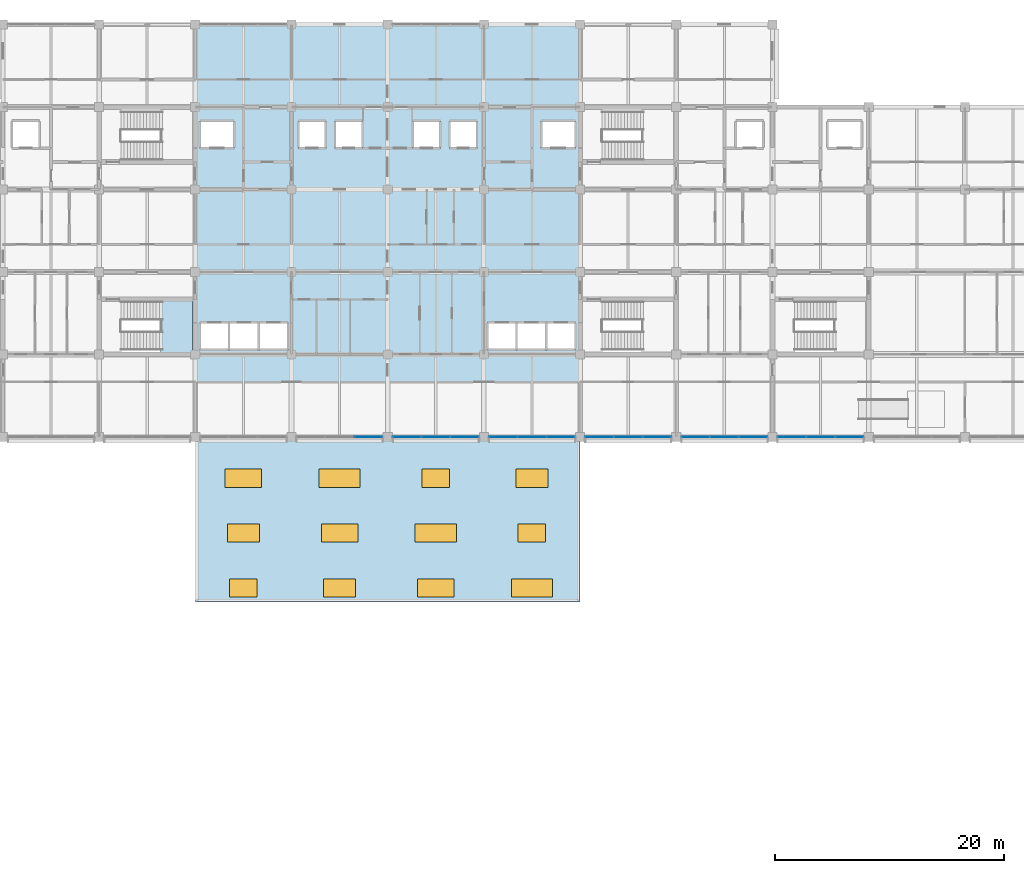
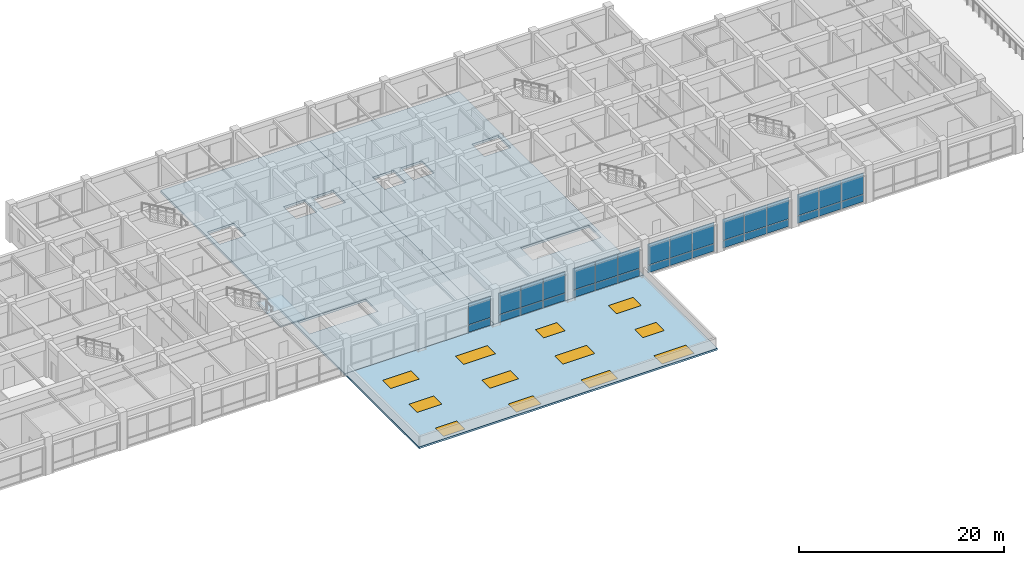
# One storey, part 15 of 40: 32 plates, 12 windows, 4 slabs, 12 openings, 7 elements without a shape of their own.
"""IFC4 building model written with IfcOpenShell, lengths in metres."""

from ifc_helpers import new_model, si_unit, direction, frame, origin, origin_2d, place, context, subcontext, project, spatial, polyline, rectangle, outline, extrude, material, layer, layer_set, type_object, element, fill, aggregate, save


model = new_model("IFC4")

# Units and contexts
model_context = context("Model", 3, precision=1e-05, world=origin(), true_north=direction((0.0, 1.0)))
body_context = subcontext(model_context, "Body", "Model", "MODEL_VIEW")
ifc_project = project(units=[si_unit("LENGTHUNIT", "METRE"), si_unit("AREAUNIT", "SQUARE_METRE"), si_unit("VOLUMEUNIT", "CUBIC_METRE"), si_unit("PLANEANGLEUNIT", "RADIAN"), si_unit("MASSUNIT", "GRAM", prefix="KILO")], contexts=[model_context])

# Site, building, storey
site_placement = place(None, origin())
site = spatial("IfcSite", under=ifc_project, at=site_placement, CompositionType="ELEMENT")
building_placement = place(site_placement, origin())
building = spatial("IfcBuilding", under=site, at=building_placement, Name="Chengyuan Square Courthouse", CompositionType="ELEMENT")
storey_placement = place(building_placement, frame((0.0, 0.0, 21.60009765625)))
storey = spatial("IfcBuildingStorey", under=building, at=storey_placement, Name="L05", CompositionType="ELEMENT", Elevation=21.60009765625)

# Curtain wall, plates
ifc_material_1 = material(Name="Unitised Aluminium and Triple Low-E Glass", Category="aluminium")
ifc_layer_1 = layer(ifc_material_1, 0.159912109375)
ifc_layer_set_1 = layer_set([ifc_layer_1], Name="Unitised Aluminium and Triple Low-E Glass")
curtain_wall_type = type_object("IfcCurtainWallType", Name="CW-13", PredefinedType="USERDEFINED", material=ifc_layer_set_1)
curtain_wall_1_placement = place(storey_placement, origin())
curtain_wall_1 = element("IfcCurtainWall", 1, at=curtain_wall_1_placement, inside=storey, type_object=curtain_wall_type, Name="Unitised Curtain Wall CW-L05-173", ObjectType="UNITISED CURTAIN WALL", PredefinedType="USERDEFINED")
ifc_material_2 = material(Name="Triple Low-E Insulating Glass", Category="glass")
ifc_layer_2 = layer(ifc_material_2, 0.02392578125)
ifc_layer_set_2 = layer_set([ifc_layer_2], Name="Triple Low-E Insulating Glass")
plate_type = type_object("IfcPlateType", Name="CWP-01", PredefinedType="CURTAIN_PANEL", material=ifc_layer_set_2)
plate_1_placement = place(storey_placement, frame((82.318359375, 79.199951171875, 0.06005859375), z_axis=(0.0, 0.0, 1.0), x_axis=(1.0, 0.0, 0.0)))
plate_1 = element("IfcPlate", 2, at=plate_1_placement, type_object=plate_type, Name="CW-13 panel 3.1", PredefinedType="CURTAIN_PANEL", context=body_context, shape_type="SweptSolid", body=[
    extrude(rectangle(XDim=2.443359375, YDim=0.02392578125, at=origin_2d()), origin(), (0.0, 0.0, 1.0), 0.860107421875),
])
plate_2_placement = place(storey_placement, frame((82.318359375, 79.199951171875, 0.97998046875), z_axis=(0.0, 0.0, 1.0), x_axis=(1.0, 0.0, 0.0)))
plate_2 = element("IfcPlate", 3, at=plate_2_placement, type_object=plate_type, Name="CW-13 panel 3.2", PredefinedType="CURTAIN_PANEL", context=body_context, shape_type="SweptSolid", body=[
    extrude(rectangle(XDim=2.443359375, YDim=0.02392578125, at=origin_2d()), origin(), (0.0, 0.0, 1.0), 2.550048828125),
])
aggregate(curtain_wall_1, [plate_1, plate_2])

curtain_wall_2_placement = place(storey_placement, origin())
curtain_wall_2 = element("IfcCurtainWall", 4, at=curtain_wall_2_placement, inside=storey, type_object=curtain_wall_type, Name="Unitised Curtain Wall CW-L05-174", ObjectType="UNITISED CURTAIN WALL", PredefinedType="USERDEFINED")
plate_3_placement = place(storey_placement, frame((85.681640625, 79.199951171875, 0.06005859375), z_axis=(0.0, 0.0, 1.0), x_axis=(1.0, 0.0, 0.0)))
plate_3 = element("IfcPlate", 5, at=plate_3_placement, type_object=plate_type, Name="CW-13 panel 1.1", PredefinedType="CURTAIN_PANEL", context=body_context, shape_type="SweptSolid", body=[
    extrude(rectangle(XDim=2.443359375, YDim=0.02392578125, at=origin_2d()), origin(), (0.0, 0.0, 1.0), 0.860107421875),
])
plate_4_placement = place(storey_placement, frame((85.681640625, 79.199951171875, 0.97998046875), z_axis=(0.0, 0.0, 1.0), x_axis=(1.0, 0.0, 0.0)))
plate_4 = element("IfcPlate", 6, at=plate_4_placement, type_object=plate_type, Name="CW-13 panel 1.2", PredefinedType="CURTAIN_PANEL", context=body_context, shape_type="SweptSolid", body=[
    extrude(rectangle(XDim=2.443359375, YDim=0.02392578125, at=origin_2d()), origin(), (0.0, 0.0, 1.0), 2.550048828125),
])
plate_5_placement = place(storey_placement, frame((88.199951171875, 79.199951171875, 0.06005859375), z_axis=(0.0, 0.0, 1.0), x_axis=(1.0, 0.0, 0.0)))
plate_5 = element("IfcPlate", 7, at=plate_5_placement, type_object=plate_type, Name="CW-13 panel 2.1", PredefinedType="CURTAIN_PANEL", context=body_context, shape_type="SweptSolid", body=[
    extrude(rectangle(XDim=2.473388671875, YDim=0.02392578125, at=origin_2d()), origin(), (0.0, 0.0, 1.0), 0.860107421875),
])
plate_6_placement = place(storey_placement, frame((88.199951171875, 79.199951171875, 0.97998046875), z_axis=(0.0, 0.0, 1.0), x_axis=(1.0, 0.0, 0.0)))
plate_6 = element("IfcPlate", 8, at=plate_6_placement, type_object=plate_type, Name="CW-13 panel 2.2", PredefinedType="CURTAIN_PANEL", context=body_context, shape_type="SweptSolid", body=[
    extrude(rectangle(XDim=2.473388671875, YDim=0.02392578125, at=origin_2d()), origin(), (0.0, 0.0, 1.0), 2.550048828125),
])
plate_7_placement = place(storey_placement, frame((90.71826171875, 79.199951171875, 0.06005859375), z_axis=(0.0, 0.0, 1.0), x_axis=(1.0, 0.0, 0.0)))
plate_7 = element("IfcPlate", 9, at=plate_7_placement, type_object=plate_type, Name="CW-13 panel 3.1", PredefinedType="CURTAIN_PANEL", context=body_context, shape_type="SweptSolid", body=[
    extrude(rectangle(XDim=2.443359375, YDim=0.02392578125, at=origin_2d()), origin(), (0.0, 0.0, 1.0), 0.860107421875),
])
plate_8_placement = place(storey_placement, frame((90.71826171875, 79.199951171875, 0.97998046875), z_axis=(0.0, 0.0, 1.0), x_axis=(1.0, 0.0, 0.0)))
plate_8 = element("IfcPlate", 10, at=plate_8_placement, type_object=plate_type, Name="CW-13 panel 3.2", PredefinedType="CURTAIN_PANEL", context=body_context, shape_type="SweptSolid", body=[
    extrude(rectangle(XDim=2.443359375, YDim=0.02392578125, at=origin_2d()), origin(), (0.0, 0.0, 1.0), 2.550048828125),
])
aggregate(curtain_wall_2, [plate_3, plate_4, plate_5, plate_6, plate_7, plate_8])

curtain_wall_3_placement = place(storey_placement, origin())
curtain_wall_3 = element("IfcCurtainWall", 11, at=curtain_wall_3_placement, inside=storey, type_object=curtain_wall_type, Name="Unitised Curtain Wall CW-L05-176", ObjectType="UNITISED CURTAIN WALL", PredefinedType="USERDEFINED")
plate_9_placement = place(storey_placement, frame((94.081787109375, 79.199951171875, 0.06005859375), z_axis=(0.0, 0.0, 1.0), x_axis=(1.0, 0.0, 0.0)))
plate_9 = element("IfcPlate", 12, at=plate_9_placement, type_object=plate_type, Name="CW-13 panel 1.1", PredefinedType="CURTAIN_PANEL", context=body_context, shape_type="SweptSolid", body=[
    extrude(rectangle(XDim=2.443359375, YDim=0.02392578125, at=origin_2d()), origin(), (0.0, 0.0, 1.0), 0.860107421875),
])
plate_10_placement = place(storey_placement, frame((94.081787109375, 79.199951171875, 0.97998046875), z_axis=(0.0, 0.0, 1.0), x_axis=(1.0, 0.0, 0.0)))
plate_10 = element("IfcPlate", 13, at=plate_10_placement, type_object=plate_type, Name="CW-13 panel 1.2", PredefinedType="CURTAIN_PANEL", context=body_context, shape_type="SweptSolid", body=[
    extrude(rectangle(XDim=2.443359375, YDim=0.02392578125, at=origin_2d()), origin(), (0.0, 0.0, 1.0), 2.550048828125),
])
plate_11_placement = place(storey_placement, frame((96.60009765625, 79.199951171875, 0.06005859375), z_axis=(0.0, 0.0, 1.0), x_axis=(1.0, 0.0, 0.0)))
plate_11 = element("IfcPlate", 14, at=plate_11_placement, type_object=plate_type, Name="CW-13 panel 2.1", PredefinedType="CURTAIN_PANEL", context=body_context, shape_type="SweptSolid", body=[
    extrude(rectangle(XDim=2.473388671875, YDim=0.02392578125, at=origin_2d()), origin(), (0.0, 0.0, 1.0), 0.860107421875),
])
plate_12_placement = place(storey_placement, frame((96.60009765625, 79.199951171875, 0.97998046875), z_axis=(0.0, 0.0, 1.0), x_axis=(1.0, 0.0, 0.0)))
plate_12 = element("IfcPlate", 15, at=plate_12_placement, type_object=plate_type, Name="CW-13 panel 2.2", PredefinedType="CURTAIN_PANEL", context=body_context, shape_type="SweptSolid", body=[
    extrude(rectangle(XDim=2.473388671875, YDim=0.02392578125, at=origin_2d()), origin(), (0.0, 0.0, 1.0), 2.550048828125),
])
plate_13_placement = place(storey_placement, frame((99.118408203125, 79.199951171875, 0.06005859375), z_axis=(0.0, 0.0, 1.0), x_axis=(1.0, 0.0, 0.0)))
plate_13 = element("IfcPlate", 16, at=plate_13_placement, type_object=plate_type, Name="CW-13 panel 3.1", PredefinedType="CURTAIN_PANEL", context=body_context, shape_type="SweptSolid", body=[
    extrude(rectangle(XDim=2.443359375, YDim=0.02392578125, at=origin_2d()), origin(), (0.0, 0.0, 1.0), 0.860107421875),
])
plate_14_placement = place(storey_placement, frame((99.118408203125, 79.199951171875, 0.97998046875), z_axis=(0.0, 0.0, 1.0), x_axis=(1.0, 0.0, 0.0)))
plate_14 = element("IfcPlate", 17, at=plate_14_placement, type_object=plate_type, Name="CW-13 panel 3.2", PredefinedType="CURTAIN_PANEL", context=body_context, shape_type="SweptSolid", body=[
    extrude(rectangle(XDim=2.443359375, YDim=0.02392578125, at=origin_2d()), origin(), (0.0, 0.0, 1.0), 2.550048828125),
])
aggregate(curtain_wall_3, [plate_9, plate_10, plate_11, plate_12, plate_13, plate_14])

curtain_wall_4_placement = place(storey_placement, origin())
curtain_wall_4 = element("IfcCurtainWall", 18, at=curtain_wall_4_placement, inside=storey, type_object=curtain_wall_type, Name="Unitised Curtain Wall CW-L05-177", ObjectType="UNITISED CURTAIN WALL", PredefinedType="USERDEFINED")
plate_15_placement = place(storey_placement, frame((102.481689453125, 79.199951171875, 0.06005859375), z_axis=(0.0, 0.0, 1.0), x_axis=(1.0, 0.0, 0.0)))
plate_15 = element("IfcPlate", 19, at=plate_15_placement, type_object=plate_type, Name="CW-13 panel 1.1", PredefinedType="CURTAIN_PANEL", context=body_context, shape_type="SweptSolid", body=[
    extrude(rectangle(XDim=2.443359375, YDim=0.02392578125, at=origin_2d()), origin(), (0.0, 0.0, 1.0), 0.860107421875),
])
plate_16_placement = place(storey_placement, frame((102.481689453125, 79.199951171875, 0.97998046875), z_axis=(0.0, 0.0, 1.0), x_axis=(1.0, 0.0, 0.0)))
plate_16 = element("IfcPlate", 20, at=plate_16_placement, type_object=plate_type, Name="CW-13 panel 1.2", PredefinedType="CURTAIN_PANEL", context=body_context, shape_type="SweptSolid", body=[
    extrude(rectangle(XDim=2.443359375, YDim=0.02392578125, at=origin_2d()), origin(), (0.0, 0.0, 1.0), 2.550048828125),
])
plate_17_placement = place(storey_placement, frame((105.0, 79.199951171875, 0.06005859375), z_axis=(0.0, 0.0, 1.0), x_axis=(1.0, 0.0, 0.0)))
plate_17 = element("IfcPlate", 21, at=plate_17_placement, type_object=plate_type, Name="CW-13 panel 2.1", PredefinedType="CURTAIN_PANEL", context=body_context, shape_type="SweptSolid", body=[
    extrude(rectangle(XDim=2.473388671875, YDim=0.02392578125, at=origin_2d()), origin(), (0.0, 0.0, 1.0), 0.860107421875),
])
plate_18_placement = place(storey_placement, frame((105.0, 79.199951171875, 0.97998046875), z_axis=(0.0, 0.0, 1.0), x_axis=(1.0, 0.0, 0.0)))
plate_18 = element("IfcPlate", 22, at=plate_18_placement, type_object=plate_type, Name="CW-13 panel 2.2", PredefinedType="CURTAIN_PANEL", context=body_context, shape_type="SweptSolid", body=[
    extrude(rectangle(XDim=2.473388671875, YDim=0.02392578125, at=origin_2d()), origin(), (0.0, 0.0, 1.0), 2.550048828125),
])
plate_19_placement = place(storey_placement, frame((107.518310546875, 79.199951171875, 0.06005859375), z_axis=(0.0, 0.0, 1.0), x_axis=(1.0, 0.0, 0.0)))
plate_19 = element("IfcPlate", 23, at=plate_19_placement, type_object=plate_type, Name="CW-13 panel 3.1", PredefinedType="CURTAIN_PANEL", context=body_context, shape_type="SweptSolid", body=[
    extrude(rectangle(XDim=2.443359375, YDim=0.02392578125, at=origin_2d()), origin(), (0.0, 0.0, 1.0), 0.860107421875),
])
plate_20_placement = place(storey_placement, frame((107.518310546875, 79.199951171875, 0.97998046875), z_axis=(0.0, 0.0, 1.0), x_axis=(1.0, 0.0, 0.0)))
plate_20 = element("IfcPlate", 24, at=plate_20_placement, type_object=plate_type, Name="CW-13 panel 3.2", PredefinedType="CURTAIN_PANEL", context=body_context, shape_type="SweptSolid", body=[
    extrude(rectangle(XDim=2.443359375, YDim=0.02392578125, at=origin_2d()), origin(), (0.0, 0.0, 1.0), 2.550048828125),
])
aggregate(curtain_wall_4, [plate_15, plate_16, plate_17, plate_18, plate_19, plate_20])

curtain_wall_5_placement = place(storey_placement, origin())
curtain_wall_5 = element("IfcCurtainWall", 25, at=curtain_wall_5_placement, inside=storey, type_object=curtain_wall_type, Name="Unitised Curtain Wall CW-L05-178", ObjectType="UNITISED CURTAIN WALL", PredefinedType="USERDEFINED")
plate_21_placement = place(storey_placement, frame((110.881591796875, 79.199951171875, 0.06005859375), z_axis=(0.0, 0.0, 1.0), x_axis=(1.0, 0.0, 0.0)))
plate_21 = element("IfcPlate", 26, at=plate_21_placement, type_object=plate_type, Name="CW-13 panel 1.1", PredefinedType="CURTAIN_PANEL", context=body_context, shape_type="SweptSolid", body=[
    extrude(rectangle(XDim=2.443359375, YDim=0.02392578125, at=origin_2d()), origin(), (0.0, 0.0, 1.0), 0.860107421875),
])
plate_22_placement = place(storey_placement, frame((110.881591796875, 79.199951171875, 0.97998046875), z_axis=(0.0, 0.0, 1.0), x_axis=(1.0, 0.0, 0.0)))
plate_22 = element("IfcPlate", 27, at=plate_22_placement, type_object=plate_type, Name="CW-13 panel 1.2", PredefinedType="CURTAIN_PANEL", context=body_context, shape_type="SweptSolid", body=[
    extrude(rectangle(XDim=2.443359375, YDim=0.02392578125, at=origin_2d()), origin(), (0.0, 0.0, 1.0), 2.550048828125),
])
plate_23_placement = place(storey_placement, frame((113.39990234375, 79.199951171875, 0.06005859375), z_axis=(0.0, 0.0, 1.0), x_axis=(1.0, 0.0, 0.0)))
plate_23 = element("IfcPlate", 28, at=plate_23_placement, type_object=plate_type, Name="CW-13 panel 2.1", PredefinedType="CURTAIN_PANEL", context=body_context, shape_type="SweptSolid", body=[
    extrude(rectangle(XDim=2.473388671875, YDim=0.02392578125, at=origin_2d()), origin(), (0.0, 0.0, 1.0), 0.860107421875),
])
plate_24_placement = place(storey_placement, frame((113.39990234375, 79.199951171875, 0.97998046875), z_axis=(0.0, 0.0, 1.0), x_axis=(1.0, 0.0, 0.0)))
plate_24 = element("IfcPlate", 29, at=plate_24_placement, type_object=plate_type, Name="CW-13 panel 2.2", PredefinedType="CURTAIN_PANEL", context=body_context, shape_type="SweptSolid", body=[
    extrude(rectangle(XDim=2.473388671875, YDim=0.02392578125, at=origin_2d()), origin(), (0.0, 0.0, 1.0), 2.550048828125),
])
plate_25_placement = place(storey_placement, frame((115.918212890625, 79.199951171875, 0.06005859375), z_axis=(0.0, 0.0, 1.0), x_axis=(1.0, 0.0, 0.0)))
plate_25 = element("IfcPlate", 30, at=plate_25_placement, type_object=plate_type, Name="CW-13 panel 3.1", PredefinedType="CURTAIN_PANEL", context=body_context, shape_type="SweptSolid", body=[
    extrude(rectangle(XDim=2.443359375, YDim=0.02392578125, at=origin_2d()), origin(), (0.0, 0.0, 1.0), 0.860107421875),
])
plate_26_placement = place(storey_placement, frame((115.918212890625, 79.199951171875, 0.97998046875), z_axis=(0.0, 0.0, 1.0), x_axis=(1.0, 0.0, 0.0)))
plate_26 = element("IfcPlate", 31, at=plate_26_placement, type_object=plate_type, Name="CW-13 panel 3.2", PredefinedType="CURTAIN_PANEL", context=body_context, shape_type="SweptSolid", body=[
    extrude(rectangle(XDim=2.443359375, YDim=0.02392578125, at=origin_2d()), origin(), (0.0, 0.0, 1.0), 2.550048828125),
])
aggregate(curtain_wall_5, [plate_21, plate_22, plate_23, plate_24, plate_25, plate_26])

curtain_wall_6_placement = place(storey_placement, origin())
curtain_wall_6 = element("IfcCurtainWall", 32, at=curtain_wall_6_placement, inside=storey, type_object=curtain_wall_type, Name="Unitised Curtain Wall CW-L05-179", ObjectType="UNITISED CURTAIN WALL", PredefinedType="USERDEFINED")
plate_27_placement = place(storey_placement, frame((119.28173828125, 79.199951171875, 0.06005859375), z_axis=(0.0, 0.0, 1.0), x_axis=(1.0, 0.0, 0.0)))
plate_27 = element("IfcPlate", 33, at=plate_27_placement, type_object=plate_type, Name="CW-13 panel 1.1", PredefinedType="CURTAIN_PANEL", context=body_context, shape_type="SweptSolid", body=[
    extrude(rectangle(XDim=2.443359375, YDim=0.02392578125, at=origin_2d()), origin(), (0.0, 0.0, 1.0), 0.860107421875),
])
plate_28_placement = place(storey_placement, frame((119.28173828125, 79.199951171875, 0.97998046875), z_axis=(0.0, 0.0, 1.0), x_axis=(1.0, 0.0, 0.0)))
plate_28 = element("IfcPlate", 34, at=plate_28_placement, type_object=plate_type, Name="CW-13 panel 1.2", PredefinedType="CURTAIN_PANEL", context=body_context, shape_type="SweptSolid", body=[
    extrude(rectangle(XDim=2.443359375, YDim=0.02392578125, at=origin_2d()), origin(), (0.0, 0.0, 1.0), 2.550048828125),
])
plate_29_placement = place(storey_placement, frame((121.800048828125, 79.199951171875, 0.06005859375), z_axis=(0.0, 0.0, 1.0), x_axis=(1.0, 0.0, 0.0)))
plate_29 = element("IfcPlate", 35, at=plate_29_placement, type_object=plate_type, Name="CW-13 panel 2.1", PredefinedType="CURTAIN_PANEL", context=body_context, shape_type="SweptSolid", body=[
    extrude(rectangle(XDim=2.473388671875, YDim=0.02392578125, at=origin_2d()), origin(), (0.0, 0.0, 1.0), 0.860107421875),
])
plate_30_placement = place(storey_placement, frame((121.800048828125, 79.199951171875, 0.97998046875), z_axis=(0.0, 0.0, 1.0), x_axis=(1.0, 0.0, 0.0)))
plate_30 = element("IfcPlate", 36, at=plate_30_placement, type_object=plate_type, Name="CW-13 panel 2.2", PredefinedType="CURTAIN_PANEL", context=body_context, shape_type="SweptSolid", body=[
    extrude(rectangle(XDim=2.473388671875, YDim=0.02392578125, at=origin_2d()), origin(), (0.0, 0.0, 1.0), 2.550048828125),
])
plate_31_placement = place(storey_placement, frame((124.318359375, 79.199951171875, 0.06005859375), z_axis=(0.0, 0.0, 1.0), x_axis=(1.0, 0.0, 0.0)))
plate_31 = element("IfcPlate", 37, at=plate_31_placement, type_object=plate_type, Name="CW-13 panel 3.1", PredefinedType="CURTAIN_PANEL", context=body_context, shape_type="SweptSolid", body=[
    extrude(rectangle(XDim=2.443359375, YDim=0.02392578125, at=origin_2d()), origin(), (0.0, 0.0, 1.0), 0.860107421875),
])
plate_32_placement = place(storey_placement, frame((124.318359375, 79.199951171875, 0.97998046875), z_axis=(0.0, 0.0, 1.0), x_axis=(1.0, 0.0, 0.0)))
plate_32 = element("IfcPlate", 38, at=plate_32_placement, type_object=plate_type, Name="CW-13 panel 3.2", PredefinedType="CURTAIN_PANEL", context=body_context, shape_type="SweptSolid", body=[
    extrude(rectangle(XDim=2.443359375, YDim=0.02392578125, at=origin_2d()), origin(), (0.0, 0.0, 1.0), 2.550048828125),
])
aggregate(curtain_wall_6, [plate_27, plate_28, plate_29, plate_30, plate_31, plate_32])

# Stair, slab
ifc_material_3 = material(Name="Concrete C40", Category="concrete")
stair_type = type_object("IfcStairType", Name="ST-TYPE-03", PredefinedType="HALF_TURN_STAIR", material=ifc_material_3)
stair_placement = place(storey_placement, origin())
stair = element("IfcStair", 39, at=stair_placement, inside=storey, type_object=stair_type, Name="Smoke-Proof Exit Stair ST-3 (L05 to L06)", PredefinedType="HALF_TURN_STAIR")
ifc_layer_3 = layer(ifc_material_3, 0.179931640625)
ifc_layer_set_3 = layer_set([ifc_layer_3], Name="Concrete C40")
slab_type_1 = type_object("IfcSlabType", Name="SL-LND2", PredefinedType="LANDING", material=ifc_layer_set_3)
slab_1_placement = place(storey_placement, frame((0.0, 0.0, 2.06982421875)))
slab_1 = element("IfcSlab", 40, at=slab_1_placement, type_object=slab_type_1, Name="ST-3 landing 1", PredefinedType="LANDING", context=body_context, shape_type="SweptSolid", body=[
    extrude(outline(polyline([(64.169921875, 86.56005859375), (66.93994140625, 86.56005859375), (66.93994140625, 91.239990234375), (64.169921875, 91.239990234375), (64.169921875, 86.56005859375)])), origin(), (0.0, 0.0, 1.0), 0.18017578125),
])
aggregate(stair, [slab_1])

# Slabs
ifc_material_4 = material(Name="Post-tensioned Concrete C50", Category="concrete")
ifc_layer_4 = layer(ifc_material_4, 0.280029296875)
ifc_layer_set_4 = layer_set([ifc_layer_4], Name="Post-tensioned Concrete C50")
slab_type_2 = type_object("IfcSlabType", Name="SL-PT28", PredefinedType="FLOOR", material=ifc_layer_set_4)
slab_2_placement = place(storey_placement, frame((0.0, 0.0, -0.280029296875)))
element("IfcSlab", 41, at=slab_2_placement, inside=storey, type_object=slab_type_2, Name="Suspended Floor Slab SL-L05-02", PredefinedType="FLOOR", context=body_context, shape_type="SweptSolid", body=[
    extrude(outline(polyline([(75.60009765625, 115.199951171875), (84.0, 115.199951171875), (84.0, 79.199951171875), (75.60009765625, 79.199951171875), (67.199951171875, 79.199951171875), (67.199951171875, 115.199951171875), (75.60009765625, 115.199951171875)]), holes=[polyline([(67.60009765625, 89.199951171875), (67.60009765625, 86.800048828125), (70.14990234375, 86.800048828125), (72.75, 86.800048828125), (75.300048828125, 86.800048828125), (75.300048828125, 89.199951171875), (72.75, 89.199951171875), (70.14990234375, 89.199951171875), (67.60009765625, 89.199951171875)]), polyline([(67.60009765625, 106.800048828125), (67.60009765625, 104.39990234375), (70.60009765625, 104.39990234375), (70.60009765625, 106.800048828125), (67.60009765625, 106.800048828125)]), polyline([(78.60009765625, 106.800048828125), (76.199951171875, 106.800048828125), (76.199951171875, 104.39990234375), (78.60009765625, 104.39990234375), (78.60009765625, 106.800048828125)]), polyline([(81.800048828125, 106.800048828125), (79.39990234375, 106.800048828125), (79.39990234375, 104.39990234375), (81.800048828125, 104.39990234375), (81.800048828125, 106.800048828125)])]), origin(), (0.0, 0.0, 1.0), 0.280029296875),
])
slab_3_placement = place(storey_placement, frame((0.0, 0.0, -0.280029296875)))
element("IfcSlab", 42, at=slab_3_placement, inside=storey, type_object=slab_type_2, Name="Suspended Floor Slab SL-L05-03", PredefinedType="FLOOR", context=body_context, shape_type="SweptSolid", body=[
    extrude(outline(polyline([(92.39990234375, 115.199951171875), (100.800048828125, 115.199951171875), (100.800048828125, 79.199951171875), (92.39990234375, 79.199951171875), (84.0, 79.199951171875), (84.0, 115.199951171875), (92.39990234375, 115.199951171875)]), holes=[polyline([(92.699951171875, 89.199951171875), (92.699951171875, 86.800048828125), (95.25, 86.800048828125), (97.85009765625, 86.800048828125), (100.39990234375, 86.800048828125), (100.39990234375, 89.199951171875), (97.85009765625, 89.199951171875), (95.25, 89.199951171875), (92.699951171875, 89.199951171875)]), polyline([(88.60009765625, 106.800048828125), (86.199951171875, 106.800048828125), (86.199951171875, 104.39990234375), (88.60009765625, 104.39990234375), (88.60009765625, 106.800048828125)]), polyline([(91.800048828125, 106.800048828125), (89.39990234375, 106.800048828125), (89.39990234375, 104.39990234375), (91.800048828125, 104.39990234375), (91.800048828125, 106.800048828125)]), polyline([(97.39990234375, 106.800048828125), (97.39990234375, 104.39990234375), (100.39990234375, 104.39990234375), (100.39990234375, 106.800048828125), (97.39990234375, 106.800048828125)])]), origin(), (0.0, 0.0, 1.0), 0.280029296875),
])

# Slab, openings, windows
ifc_layer_5 = layer(ifc_material_3, 0.219970703125)
ifc_layer_set_5 = layer_set([ifc_layer_5], Name="Concrete C40")
slab_type_3 = type_object("IfcSlabType", Name="SL-SKY", PredefinedType="ROOF", material=ifc_layer_set_5)
slab_4_placement = place(storey_placement, frame((0.0, 0.0, -0.22021484375)))
slab_4 = element("IfcSlab", 43, at=slab_4_placement, inside=storey, type_object=slab_type_3, Name="Wintergarden Atrium Skylight Roof Deck", PredefinedType="ROOF", context=body_context, shape_type="SweptSolid", body=[
    extrude(outline(polyline([(67.199951171875, 64.800048828125), (100.800048828125, 64.800048828125), (100.800048828125, 79.199951171875), (67.199951171875, 79.199951171875), (67.199951171875, 64.800048828125)])), origin(), (0.0, 0.0, 1.0), 0.22021484375),
])
opening_1_placement = place(slab_4_placement, frame((71.39990234375, 66.0, 0.0)))
opening_1 = element("IfcOpeningElement", 44, at=opening_1_placement, cuts=slab_4, Name="Opening SK-01", PredefinedType="OPENING", context=body_context, shape_type="SweptSolid", body=[
    extrude(rectangle(XDim=2.39990234375, YDim=1.60009765625, at=origin_2d()), origin(), (0.0, 0.0, 1.0), 0.22021484375),
])
opening_2_placement = place(slab_4_placement, frame((71.39990234375, 70.800048828125, 0.0)))
opening_2 = element("IfcOpeningElement", 45, at=opening_2_placement, cuts=slab_4, Name="Opening SK-02", PredefinedType="OPENING", context=body_context, shape_type="SweptSolid", body=[
    extrude(rectangle(XDim=2.800048828125, YDim=1.60009765625, at=origin_2d()), origin(), (0.0, 0.0, 1.0), 0.22021484375),
])
opening_3_placement = place(slab_4_placement, frame((71.39990234375, 75.60009765625, 0.0)))
opening_3 = element("IfcOpeningElement", 46, at=opening_3_placement, cuts=slab_4, Name="Opening SK-03", PredefinedType="OPENING", context=body_context, shape_type="SweptSolid", body=[
    extrude(rectangle(XDim=3.199951171875, YDim=1.60009765625, at=origin_2d()), origin(), (0.0, 0.0, 1.0), 0.22021484375),
])
opening_4_placement = place(slab_4_placement, frame((79.800048828125, 66.0, 0.0)))
opening_4 = element("IfcOpeningElement", 47, at=opening_4_placement, cuts=slab_4, Name="Opening SK-04", PredefinedType="OPENING", context=body_context, shape_type="SweptSolid", body=[
    extrude(rectangle(XDim=2.800048828125, YDim=1.60009765625, at=origin_2d()), origin(), (0.0, 0.0, 1.0), 0.22021484375),
])
opening_5_placement = place(slab_4_placement, frame((79.800048828125, 70.800048828125, 0.0)))
opening_5 = element("IfcOpeningElement", 48, at=opening_5_placement, cuts=slab_4, Name="Opening SK-05", PredefinedType="OPENING", context=body_context, shape_type="SweptSolid", body=[
    extrude(rectangle(XDim=3.199951171875, YDim=1.60009765625, at=origin_2d()), origin(), (0.0, 0.0, 1.0), 0.22021484375),
])
opening_6_placement = place(slab_4_placement, frame((79.800048828125, 75.60009765625, 0.0)))
opening_6 = element("IfcOpeningElement", 49, at=opening_6_placement, cuts=slab_4, Name="Opening SK-06", PredefinedType="OPENING", context=body_context, shape_type="SweptSolid", body=[
    extrude(rectangle(XDim=3.60009765625, YDim=1.60009765625, at=origin_2d()), origin(), (0.0, 0.0, 1.0), 0.22021484375),
])
opening_7_placement = place(slab_4_placement, frame((88.199951171875, 66.0, 0.0)))
opening_7 = element("IfcOpeningElement", 50, at=opening_7_placement, cuts=slab_4, Name="Opening SK-07", PredefinedType="OPENING", context=body_context, shape_type="SweptSolid", body=[
    extrude(rectangle(XDim=3.199951171875, YDim=1.60009765625, at=origin_2d()), origin(), (0.0, 0.0, 1.0), 0.22021484375),
])
opening_8_placement = place(slab_4_placement, frame((88.199951171875, 70.800048828125, 0.0)))
opening_8 = element("IfcOpeningElement", 51, at=opening_8_placement, cuts=slab_4, Name="Opening SK-08", PredefinedType="OPENING", context=body_context, shape_type="SweptSolid", body=[
    extrude(rectangle(XDim=3.60009765625, YDim=1.60009765625, at=origin_2d()), origin(), (0.0, 0.0, 1.0), 0.22021484375),
])
opening_9_placement = place(slab_4_placement, frame((88.199951171875, 75.60009765625, 0.0)))
opening_9 = element("IfcOpeningElement", 52, at=opening_9_placement, cuts=slab_4, Name="Opening SK-09", PredefinedType="OPENING", context=body_context, shape_type="SweptSolid", body=[
    extrude(rectangle(XDim=2.39990234375, YDim=1.60009765625, at=origin_2d()), origin(), (0.0, 0.0, 1.0), 0.22021484375),
])
opening_10_placement = place(slab_4_placement, frame((96.60009765625, 66.0, 0.0)))
opening_10 = element("IfcOpeningElement", 53, at=opening_10_placement, cuts=slab_4, Name="Opening SK-10", PredefinedType="OPENING", context=body_context, shape_type="SweptSolid", body=[
    extrude(rectangle(XDim=3.60009765625, YDim=1.60009765625, at=origin_2d()), origin(), (0.0, 0.0, 1.0), 0.22021484375),
])
opening_11_placement = place(slab_4_placement, frame((96.60009765625, 70.800048828125, 0.0)))
opening_11 = element("IfcOpeningElement", 54, at=opening_11_placement, cuts=slab_4, Name="Opening SK-11", PredefinedType="OPENING", context=body_context, shape_type="SweptSolid", body=[
    extrude(rectangle(XDim=2.39990234375, YDim=1.60009765625, at=origin_2d()), origin(), (0.0, 0.0, 1.0), 0.22021484375),
])
opening_12_placement = place(slab_4_placement, frame((96.60009765625, 75.60009765625, 0.0)))
opening_12 = element("IfcOpeningElement", 55, at=opening_12_placement, cuts=slab_4, Name="Opening SK-12", PredefinedType="OPENING", context=body_context, shape_type="SweptSolid", body=[
    extrude(rectangle(XDim=2.800048828125, YDim=1.60009765625, at=origin_2d()), origin(), (0.0, 0.0, 1.0), 0.22021484375),
])
ifc_material_5 = material(Name="Triple-Glazed Laminated Argon Skylight")
window_type_1 = type_object("IfcWindowType", Name="WT-43", PartitioningType="SINGLE_PANEL", PredefinedType="SKYLIGHT", material=ifc_material_5)
window_1_placement = place(opening_1_placement, frame((0.0, 0.0, 0.170166015625)))
window_1 = element("IfcWindow", 56, at=window_1_placement, inside=storey, type_object=window_type_1, Name="Wintergarden Atrium Skylight SK-01", OverallHeight=1.60009765625, OverallWidth=2.39990234375, PartitioningType="SINGLE_PANEL", PredefinedType="SKYLIGHT", context=body_context, shape_type="SweptSolid", body=[
    extrude(rectangle(XDim=2.39990234375, YDim=1.60009765625, at=origin_2d()), origin(), (0.0, 0.0, 1.0), 0.050048828125),
])
fill(opening_1, window_1)
window_2_placement = place(opening_9_placement, frame((0.0, 0.0, 0.170166015625)))
window_2 = element("IfcWindow", 57, at=window_2_placement, inside=storey, type_object=window_type_1, Name="Wintergarden Atrium Skylight SK-09", OverallHeight=1.60009765625, OverallWidth=2.39990234375, PartitioningType="SINGLE_PANEL", PredefinedType="SKYLIGHT", context=body_context, shape_type="SweptSolid", body=[
    extrude(rectangle(XDim=2.39990234375, YDim=1.60009765625, at=origin_2d()), origin(), (0.0, 0.0, 1.0), 0.050048828125),
])
fill(opening_9, window_2)
window_3_placement = place(opening_11_placement, frame((0.0, 0.0, 0.170166015625)))
window_3 = element("IfcWindow", 58, at=window_3_placement, inside=storey, type_object=window_type_1, Name="Wintergarden Atrium Skylight SK-11", OverallHeight=1.60009765625, OverallWidth=2.39990234375, PartitioningType="SINGLE_PANEL", PredefinedType="SKYLIGHT", context=body_context, shape_type="SweptSolid", body=[
    extrude(rectangle(XDim=2.39990234375, YDim=1.60009765625, at=origin_2d()), origin(), (0.0, 0.0, 1.0), 0.050048828125),
])
fill(opening_11, window_3)
window_type_2 = type_object("IfcWindowType", Name="WT-44", PartitioningType="SINGLE_PANEL", PredefinedType="SKYLIGHT", material=ifc_material_5)
window_4_placement = place(opening_2_placement, frame((0.0, 0.0, 0.170166015625)))
window_4 = element("IfcWindow", 59, at=window_4_placement, inside=storey, type_object=window_type_2, Name="Wintergarden Atrium Skylight SK-02", OverallHeight=1.60009765625, OverallWidth=2.800048828125, PartitioningType="SINGLE_PANEL", PredefinedType="SKYLIGHT", context=body_context, shape_type="SweptSolid", body=[
    extrude(rectangle(XDim=2.800048828125, YDim=1.60009765625, at=origin_2d()), origin(), (0.0, 0.0, 1.0), 0.050048828125),
])
fill(opening_2, window_4)
window_5_placement = place(opening_4_placement, frame((0.0, 0.0, 0.170166015625)))
window_5 = element("IfcWindow", 60, at=window_5_placement, inside=storey, type_object=window_type_2, Name="Wintergarden Atrium Skylight SK-04", OverallHeight=1.60009765625, OverallWidth=2.800048828125, PartitioningType="SINGLE_PANEL", PredefinedType="SKYLIGHT", context=body_context, shape_type="SweptSolid", body=[
    extrude(rectangle(XDim=2.800048828125, YDim=1.60009765625, at=origin_2d()), origin(), (0.0, 0.0, 1.0), 0.050048828125),
])
fill(opening_4, window_5)
window_6_placement = place(opening_12_placement, frame((0.0, 0.0, 0.170166015625)))
window_6 = element("IfcWindow", 61, at=window_6_placement, inside=storey, type_object=window_type_2, Name="Wintergarden Atrium Skylight SK-12", OverallHeight=1.60009765625, OverallWidth=2.800048828125, PartitioningType="SINGLE_PANEL", PredefinedType="SKYLIGHT", context=body_context, shape_type="SweptSolid", body=[
    extrude(rectangle(XDim=2.800048828125, YDim=1.60009765625, at=origin_2d()), origin(), (0.0, 0.0, 1.0), 0.050048828125),
])
fill(opening_12, window_6)
window_type_3 = type_object("IfcWindowType", Name="WT-45", PartitioningType="SINGLE_PANEL", PredefinedType="SKYLIGHT", material=ifc_material_5)
window_7_placement = place(opening_3_placement, frame((0.0, 0.0, 0.170166015625)))
window_7 = element("IfcWindow", 62, at=window_7_placement, inside=storey, type_object=window_type_3, Name="Wintergarden Atrium Skylight SK-03", OverallHeight=1.60009765625, OverallWidth=3.199951171875, PartitioningType="SINGLE_PANEL", PredefinedType="SKYLIGHT", context=body_context, shape_type="SweptSolid", body=[
    extrude(rectangle(XDim=3.199951171875, YDim=1.60009765625, at=origin_2d()), origin(), (0.0, 0.0, 1.0), 0.050048828125),
])
fill(opening_3, window_7)
window_8_placement = place(opening_5_placement, frame((0.0, 0.0, 0.170166015625)))
window_8 = element("IfcWindow", 63, at=window_8_placement, inside=storey, type_object=window_type_3, Name="Wintergarden Atrium Skylight SK-05", OverallHeight=1.60009765625, OverallWidth=3.199951171875, PartitioningType="SINGLE_PANEL", PredefinedType="SKYLIGHT", context=body_context, shape_type="SweptSolid", body=[
    extrude(rectangle(XDim=3.199951171875, YDim=1.60009765625, at=origin_2d()), origin(), (0.0, 0.0, 1.0), 0.050048828125),
])
fill(opening_5, window_8)
window_9_placement = place(opening_7_placement, frame((0.0, 0.0, 0.170166015625)))
window_9 = element("IfcWindow", 64, at=window_9_placement, inside=storey, type_object=window_type_3, Name="Wintergarden Atrium Skylight SK-07", OverallHeight=1.60009765625, OverallWidth=3.199951171875, PartitioningType="SINGLE_PANEL", PredefinedType="SKYLIGHT", context=body_context, shape_type="SweptSolid", body=[
    extrude(rectangle(XDim=3.199951171875, YDim=1.60009765625, at=origin_2d()), origin(), (0.0, 0.0, 1.0), 0.050048828125),
])
fill(opening_7, window_9)
window_type_4 = type_object("IfcWindowType", Name="WT-46", PartitioningType="SINGLE_PANEL", PredefinedType="SKYLIGHT", material=ifc_material_5)
window_10_placement = place(opening_6_placement, frame((0.0, 0.0, 0.170166015625)))
window_10 = element("IfcWindow", 65, at=window_10_placement, inside=storey, type_object=window_type_4, Name="Wintergarden Atrium Skylight SK-06", OverallHeight=1.60009765625, OverallWidth=3.60009765625, PartitioningType="SINGLE_PANEL", PredefinedType="SKYLIGHT", context=body_context, shape_type="SweptSolid", body=[
    extrude(rectangle(XDim=3.60009765625, YDim=1.60009765625, at=origin_2d()), origin(), (0.0, 0.0, 1.0), 0.050048828125),
])
fill(opening_6, window_10)
window_11_placement = place(opening_8_placement, frame((0.0, 0.0, 0.170166015625)))
window_11 = element("IfcWindow", 66, at=window_11_placement, inside=storey, type_object=window_type_4, Name="Wintergarden Atrium Skylight SK-08", OverallHeight=1.60009765625, OverallWidth=3.60009765625, PartitioningType="SINGLE_PANEL", PredefinedType="SKYLIGHT", context=body_context, shape_type="SweptSolid", body=[
    extrude(rectangle(XDim=3.60009765625, YDim=1.60009765625, at=origin_2d()), origin(), (0.0, 0.0, 1.0), 0.050048828125),
])
fill(opening_8, window_11)
window_12_placement = place(opening_10_placement, frame((0.0, 0.0, 0.170166015625)))
window_12 = element("IfcWindow", 67, at=window_12_placement, inside=storey, type_object=window_type_4, Name="Wintergarden Atrium Skylight SK-10", OverallHeight=1.60009765625, OverallWidth=3.60009765625, PartitioningType="SINGLE_PANEL", PredefinedType="SKYLIGHT", context=body_context, shape_type="SweptSolid", body=[
    extrude(rectangle(XDim=3.60009765625, YDim=1.60009765625, at=origin_2d()), origin(), (0.0, 0.0, 1.0), 0.050048828125),
])
fill(opening_10, window_12)

save(model, "model.ifc")
